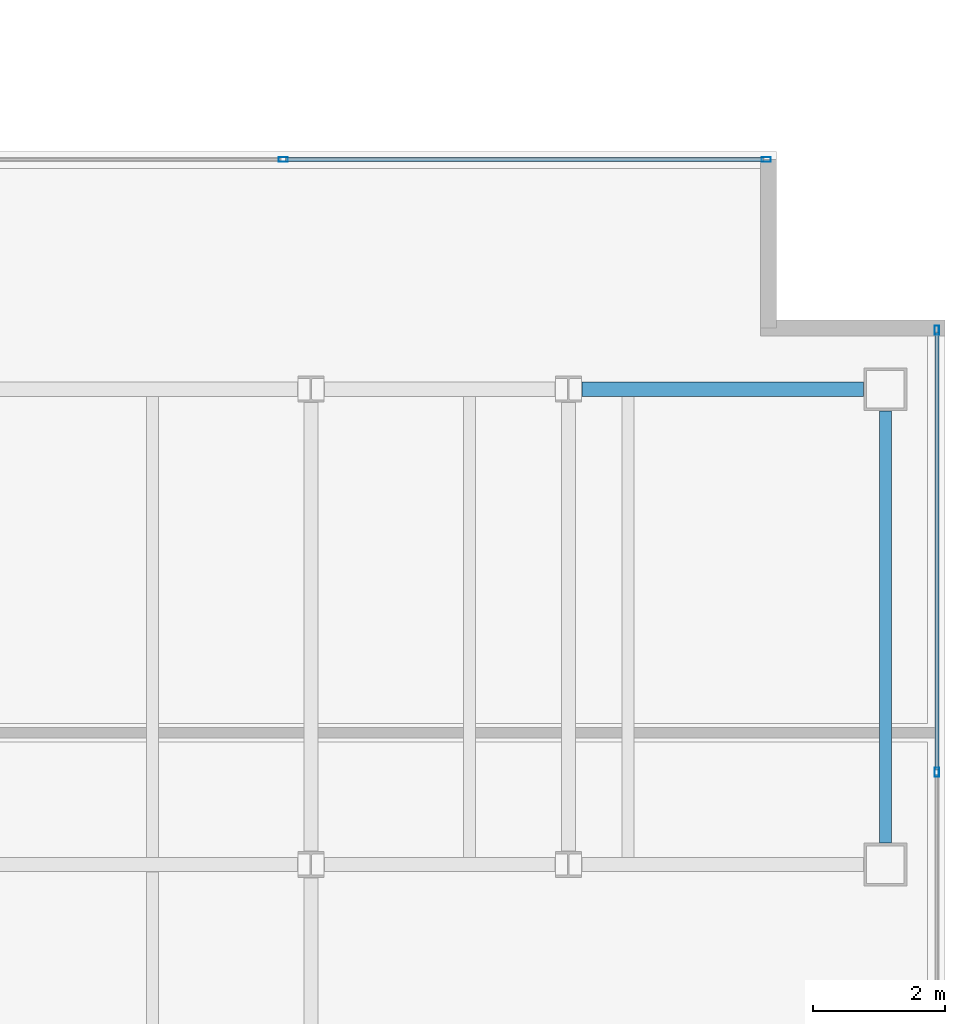
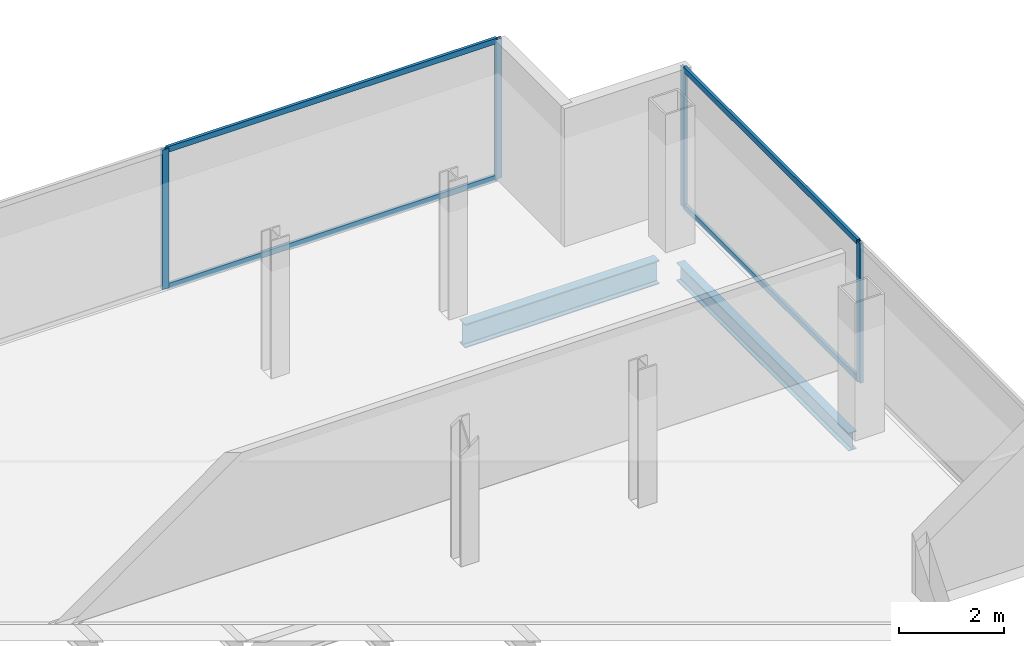
# One storey, part 16 of 23: 8 members, 2 beams, 2 elements without a shape of their own.
"""IFC4 building model written with IfcOpenShell, lengths in metres."""

from ifc_helpers import new_model, si_unit, direction, frame, origin, origin_2d, place, context, subcontext, project, spatial, hollow_rectangle, i_section, extrude, material, material_profile, profile_set, type_object, element, aggregate, save


model = new_model("IFC4")

# Units and contexts
model_context = context("Model", 3, precision=1e-05, world=origin(), true_north=direction((0.0, 1.0)))
body_context = subcontext(model_context, "Body", "Model", "MODEL_VIEW")
ifc_project = project(units=[si_unit("LENGTHUNIT", "METRE"), si_unit("AREAUNIT", "SQUARE_METRE"), si_unit("VOLUMEUNIT", "CUBIC_METRE"), si_unit("PLANEANGLEUNIT", "RADIAN"), si_unit("MASSUNIT", "GRAM", prefix="KILO")], contexts=[model_context])

# Site, building, storey
site_placement = place(None, origin())
site = spatial("IfcSite", under=ifc_project, at=site_placement, CompositionType="ELEMENT")
building_placement = place(site_placement, origin())
building = spatial("IfcBuilding", under=site, at=building_placement, Name="Cobrela Telecom Tower", CompositionType="ELEMENT")
storey_placement = place(building_placement, frame((0.0, 0.0, 251.64990234375)))
storey = spatial("IfcBuildingStorey", under=building, at=storey_placement, Name="L65", CompositionType="ELEMENT", Elevation=251.64990234375)

# Beams
ifc_material_1 = material(Name="Steel ASTM A992 Grade 50", Category="steel")
ifc_material_profile_1 = material_profile(ifc_material_1, i_section(OverallWidth=0.212890625, OverallDepth=0.549072265625, WebThickness=0.0146484375, FlangeThickness=0.023681640625, FilletRadius=0.013916015625, at=origin_2d()), Name="W21X93")
ifc_profile_set_1 = profile_set([ifc_material_profile_1], Name="Steel ASTM A992 Grade 50")
beam_type_1 = type_object("IfcBeamType", Name="BM-GIRD-08", PredefinedType="USERDEFINED", material=ifc_profile_set_1)
beam_1_placement = place(storey_placement, frame((40.1044921875, 21.60009765625, -0.534423828125), z_axis=(1.0, 0.0, 0.0), x_axis=(0.0, 1.0, 0.0)))
element("IfcBeam", 1, at=beam_1_placement, inside=storey, type_object=beam_type_1, Name="L65 Primary Girder X14", ObjectType="GIRDER", PredefinedType="USERDEFINED", context=body_context, shape_type="SweptSolid", body=[
    extrude(i_section(OverallWidth=0.212890625, OverallDepth=0.549072265625, WebThickness=0.0146484375, FlangeThickness=0.023681640625, FilletRadius=0.013916015625, at=origin_2d()), origin(), (0.0, 0.0, 1.0), 4.265625),
])
ifc_material_profile_2 = material_profile(ifc_material_1, i_section(OverallWidth=0.179931640625, OverallDepth=0.4169921875, WebThickness=0.010986328125, FlangeThickness=0.01806640625, FilletRadius=0.011962890625, at=origin_2d()), Name="W16X57")
ifc_profile_set_2 = profile_set([ifc_material_profile_2], Name="Steel ASTM A992 Grade 50")
beam_type_2 = type_object("IfcBeamType", Name="BM-SPAND-06", PredefinedType="SPANDREL", material=ifc_profile_set_2)
beam_2_placement = place(storey_placement, frame((44.699951171875, 14.72998046875, -0.468505859375), z_axis=(0.0, 1.0, 0.0), x_axis=(-1.0, 0.0, 0.0)))
element("IfcBeam", 2, at=beam_2_placement, inside=storey, type_object=beam_type_2, Name="L65 Perimeter Spandrel Y34", PredefinedType="SPANDREL", context=body_context, shape_type="SweptSolid", body=[
    extrude(i_section(OverallWidth=0.179931640625, OverallDepth=0.4169921875, WebThickness=0.010986328125, FlangeThickness=0.01806640625, FilletRadius=0.011962890625, at=origin_2d()), origin(), (0.0, 0.0, 1.0), 6.5400390625),
])

# Curtain wall, members
ifc_material_2 = material(Name="Anodized Bronze Aluminium 6063-T6", Category="aluminium")
curtain_wall_type = type_object("IfcCurtainWallType", Name="CW-SYS-OFF-HI", PredefinedType="USERDEFINED", material=ifc_material_2)
curtain_wall_1_placement = place(storey_placement, origin())
curtain_wall_1 = element("IfcCurtainWall", 3, at=curtain_wall_1_placement, inside=storey, type_object=curtain_wall_type, Name="L65 Unitised Bronze Curtain Wall 09", ObjectType="UNITISED CURTAIN WALL", PredefinedType="USERDEFINED")
ifc_material_profile_3 = material_profile(ifc_material_2, hollow_rectangle(XDim=0.070068359375, YDim=0.139892578125, WallThickness=0.00390625, at=origin_2d()), Name="ALU 70x140x4")
ifc_profile_set_3 = profile_set([ifc_material_profile_3], Name="Anodized Bronze Aluminium 6063-T6")
member_type_1 = type_object("IfcMemberType", Name="CW-SYS-OFF-HI-MUL", PredefinedType="MULLION", material=ifc_profile_set_3)
member_1_placement = place(storey_placement, frame((35.580078125, 25.080078125, 0.0), z_axis=(0.0, 0.0, 1.0), x_axis=(0.0, 1.0, 0.0)))
member_1 = element("IfcMember", 4, at=member_1_placement, type_object=member_type_1, Name="CW-OFF-HI mullion 3", PredefinedType="MULLION", context=body_context, shape_type="SweptSolid", body=[
    extrude(hollow_rectangle(XDim=0.070068359375, YDim=0.139892578125, WallThickness=0.00390625, at=origin_2d()), origin(), (0.0, 0.0, 1.0), 3.239990234375),
])
member_2_placement = place(storey_placement, frame((42.89501953125, 25.080078125, 0.0), z_axis=(0.0, 0.0, 1.0), x_axis=(0.0, 1.0, 0.0)))
member_2 = element("IfcMember", 5, at=member_2_placement, type_object=member_type_1, Name="CW-OFF-HI mullion 4", PredefinedType="MULLION", context=body_context, shape_type="SweptSolid", body=[
    extrude(hollow_rectangle(XDim=0.070068359375, YDim=0.139892578125, WallThickness=0.00390625, at=origin_2d()), origin(), (0.0, 0.0, 1.0), 3.239990234375),
])

curtain_wall_2_placement = place(storey_placement, origin())
curtain_wall_2 = element("IfcCurtainWall", 6, at=curtain_wall_2_placement, inside=storey, type_object=curtain_wall_type, Name="L65 Unitised Bronze Curtain Wall 12", ObjectType="UNITISED CURTAIN WALL", PredefinedType="USERDEFINED")
member_3_placement = place(storey_placement, frame((45.47998046875, 22.4951171875, 0.0), z_axis=(0.0, 0.0, 1.0), x_axis=(1.0, 0.0, 0.0)))
member_3 = element("IfcMember", 7, at=member_3_placement, type_object=member_type_1, Name="CW-OFF-HI mullion 1", PredefinedType="MULLION", context=body_context, shape_type="SweptSolid", body=[
    extrude(hollow_rectangle(XDim=0.070068359375, YDim=0.139892578125, WallThickness=0.00390625, at=origin_2d()), origin(), (0.0, 0.0, 1.0), 3.239990234375),
])
member_4_placement = place(storey_placement, frame((45.47998046875, 15.800048828125, 0.0), z_axis=(0.0, 0.0, 1.0), x_axis=(1.0, 0.0, 0.0)))
member_4 = element("IfcMember", 8, at=member_4_placement, type_object=member_type_1, Name="CW-OFF-HI mullion 2", PredefinedType="MULLION", context=body_context, shape_type="SweptSolid", body=[
    extrude(hollow_rectangle(XDim=0.070068359375, YDim=0.139892578125, WallThickness=0.00390625, at=origin_2d()), origin(), (0.0, 0.0, 1.0), 3.239990234375),
])

# Member
ifc_material_profile_4 = material_profile(ifc_material_2, hollow_rectangle(XDim=0.06494140625, YDim=0.1298828125, WallThickness=0.00390625, at=origin_2d()), Name="ALU 65x130x4")
ifc_profile_set_4 = profile_set([ifc_material_profile_4], Name="Anodized Bronze Aluminium 6063-T6")
member_type_2 = type_object("IfcMemberType", Name="CW-SYS-OFF-HI-TRN", PredefinedType="USERDEFINED", material=ifc_profile_set_4)
member_5_placement = place(storey_placement, frame((35.614990234375, 25.080078125, 0.03271484375), z_axis=(1.0, 0.0, 0.0), x_axis=(0.0, 1.0, 0.0)))
member_5 = element("IfcMember", 9, at=member_5_placement, type_object=member_type_2, Name="CW-OFF-HI transom 3.1", ObjectType="TRANSOM", PredefinedType="USERDEFINED", context=body_context, shape_type="SweptSolid", body=[
    extrude(hollow_rectangle(XDim=0.06494140625, YDim=0.1298828125, WallThickness=0.00390625, at=origin_2d()), origin(), (0.0, 0.0, 1.0), 7.2451171875),
])

member_6_placement = place(storey_placement, frame((35.614990234375, 25.080078125, 3.20751953125), z_axis=(1.0, 0.0, 0.0), x_axis=(0.0, 1.0, 0.0)))
member_6 = element("IfcMember", 10, at=member_6_placement, type_object=member_type_2, Name="CW-OFF-HI transom 3.2", ObjectType="TRANSOM", PredefinedType="USERDEFINED", context=body_context, shape_type="SweptSolid", body=[
    extrude(hollow_rectangle(XDim=0.06494140625, YDim=0.1298828125, WallThickness=0.00390625, at=origin_2d()), origin(), (0.0, 0.0, 1.0), 7.2451171875),
])

aggregate(curtain_wall_1, [member_1, member_2, member_5, member_6])

member_7_placement = place(storey_placement, frame((45.47998046875, 22.4599609375, 0.03271484375), z_axis=(0.0, -1.0, 0.0), x_axis=(1.0, 0.0, 0.0)))
member_7 = element("IfcMember", 11, at=member_7_placement, type_object=member_type_2, Name="CW-OFF-HI transom 1.1", ObjectType="TRANSOM", PredefinedType="USERDEFINED", context=body_context, shape_type="SweptSolid", body=[
    extrude(hollow_rectangle(XDim=0.06494140625, YDim=0.1298828125, WallThickness=0.00390625, at=origin_2d()), origin(), (0.0, 0.0, 1.0), 6.625),
])

member_8_placement = place(storey_placement, frame((45.47998046875, 22.4599609375, 3.20751953125), z_axis=(0.0, -1.0, 0.0), x_axis=(1.0, 0.0, 0.0)))
member_8 = element("IfcMember", 12, at=member_8_placement, type_object=member_type_2, Name="CW-OFF-HI transom 1.2", ObjectType="TRANSOM", PredefinedType="USERDEFINED", context=body_context, shape_type="SweptSolid", body=[
    extrude(hollow_rectangle(XDim=0.06494140625, YDim=0.1298828125, WallThickness=0.00390625, at=origin_2d()), origin(), (0.0, 0.0, 1.0), 6.625),
])

aggregate(curtain_wall_2, [member_3, member_4, member_7, member_8])

save(model, "model.ifc")
